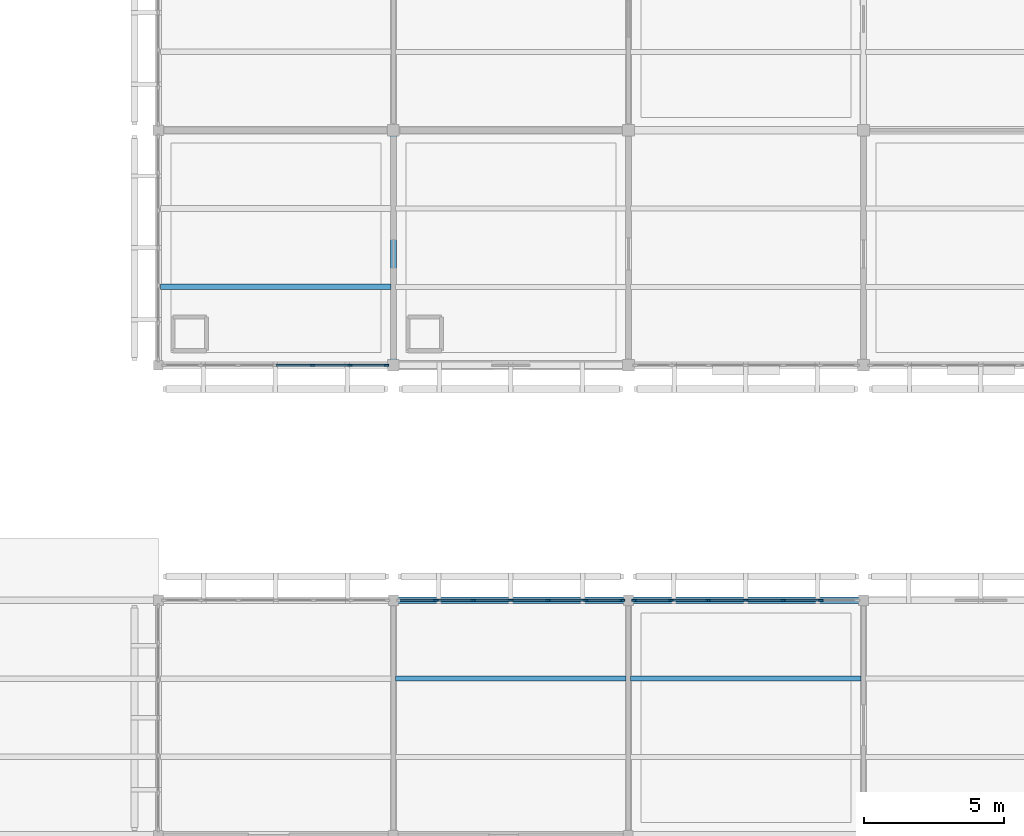
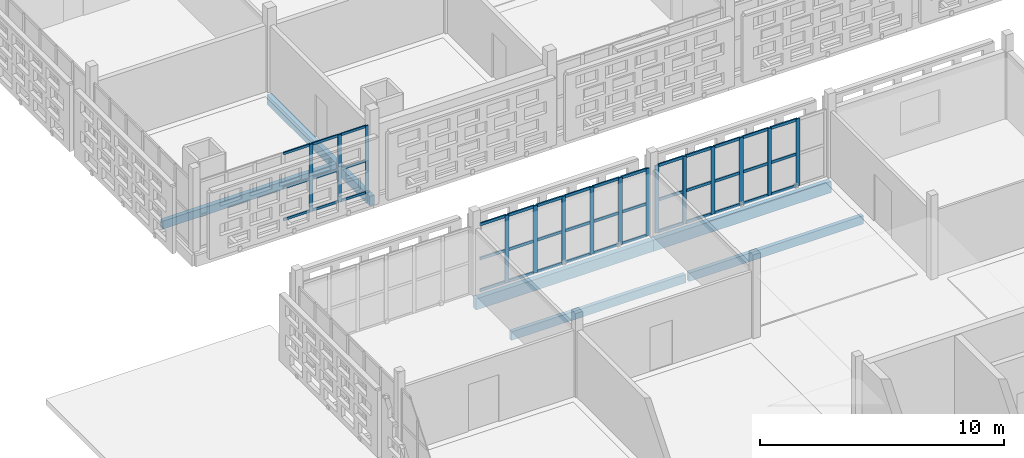
# One storey, part 64 of 166: 57 members, 6 beams, 3 elements without a shape of their own.
"""IFC4 building model written with IfcOpenShell, lengths in metres."""

from ifc_helpers import new_model, si_unit, direction, frame, origin, origin_2d, place, context, subcontext, project, spatial, rectangle, extrude, material, layer, layer_set, material_profile, profile_set, type_object, element, aggregate, save


model = new_model("IFC4")

# Units and contexts
model_context = context("Model", 3, precision=1e-05, world=origin(), true_north=direction((0.0, 1.0)))
body_context = subcontext(model_context, "Body", "Model", "MODEL_VIEW")
ifc_project = project(units=[si_unit("LENGTHUNIT", "METRE"), si_unit("AREAUNIT", "SQUARE_METRE"), si_unit("VOLUMEUNIT", "CUBIC_METRE"), si_unit("PLANEANGLEUNIT", "RADIAN"), si_unit("MASSUNIT", "GRAM", prefix="KILO")], contexts=[model_context])

# Site, building, storey
site_placement = place(None, origin())
site = spatial("IfcSite", under=ifc_project, at=site_placement, CompositionType="ELEMENT")
building_placement = place(site_placement, origin())
building = spatial("IfcBuilding", under=site, at=building_placement, Name="Varnapada Polytechnic", CompositionType="ELEMENT")
storey_placement = place(building_placement, frame((0.0, 0.0, 9.60009765625)))
storey = spatial("IfcBuildingStorey", under=building, at=storey_placement, Name="L02", CompositionType="ELEMENT", Elevation=9.60009765625)

# Beam
ifc_material_1 = material(Name="Glulam GL32h", Category="wood")
ifc_material_profile_1 = material_profile(ifc_material_1, rectangle(XDim=0.199951171875, YDim=0.39990234375, at=origin_2d()), Name="GL 200x400")
ifc_profile_set_1 = profile_set([ifc_material_profile_1], Name="Glulam GL32h")
beam_type_1 = type_object("IfcBeamType", Name="Library/laboratory glulam floor joist GJ-01 (GL 200x400)", PredefinedType="JOIST", material=ifc_profile_set_1)
beam_1_placement = place(storey_placement, frame((134.47998046875, 61.60009765625, -0.4501953125), z_axis=(1.0, 0.0, 0.0), x_axis=(0.0, 1.0, 0.0)))
element("IfcBeam", 1, at=beam_1_placement, inside=storey, type_object=beam_type_1, Name="L02 floor joist 17/8.1", PredefinedType="JOIST", context=body_context, shape_type="SweptSolid", body=[
    extrude(rectangle(XDim=0.199951171875, YDim=0.39990234375, at=origin_2d()), origin(), (0.0, 0.0, 1.0), 8.239990234375),
])

# Curtain wall, members
ifc_material_2 = material(Name="Double low-E laminated glass", Category="glass")
ifc_layer_1 = layer(ifc_material_2, 0.159912109375)
ifc_layer_set_1 = layer_set([ifc_layer_1], Name="Double low-E laminated glass")
curtain_wall_type_1 = type_object("IfcCurtainWallType", Name="Curtain Wall CW-01", PredefinedType="NOTDEFINED", material=ifc_layer_set_1)
curtain_wall_1_placement = place(storey_placement, origin())
curtain_wall_1 = element("IfcCurtainWall", 2, at=curtain_wall_1_placement, inside=storey, type_object=curtain_wall_type_1, Name="L02 unitised curtain wall CW-01 (188)", PredefinedType="NOTDEFINED")
ifc_material_3 = material(Name="Anodised aluminium", Category="aluminium")
ifc_material_profile_2 = material_profile(ifc_material_3, rectangle(XDim=0.06005859375, YDim=0.159912109375, at=origin_2d()), Name="ALU M60x160")
ifc_profile_set_2 = profile_set([ifc_material_profile_2], Name="Anodised aluminium")
member_type_1 = type_object("IfcMemberType", Name="Mullion M-01", PredefinedType="MULLION", material=ifc_profile_set_2)
member_1_placement = place(storey_placement, frame((142.56005859375, 58.800048828125, 0.0), z_axis=(0.0, 0.0, 1.0), x_axis=(0.0, -1.0, 0.0)))
member_1 = element("IfcMember", 3, at=member_1_placement, type_object=member_type_1, Name="CW-01 mullion 1", PredefinedType="MULLION", context=body_context, shape_type="SweptSolid", body=[
    extrude(rectangle(XDim=0.06005859375, YDim=0.159912109375, at=origin_2d()), origin(), (0.0, 0.0, 1.0), 3.35986328125),
])
member_2_placement = place(storey_placement, frame((141.25341796875, 58.800048828125, 0.0), z_axis=(0.0, 0.0, 1.0), x_axis=(0.0, -1.0, 0.0)))
member_2 = element("IfcMember", 4, at=member_2_placement, type_object=member_type_1, Name="CW-01 mullion 2", PredefinedType="MULLION", context=body_context, shape_type="SweptSolid", body=[
    extrude(rectangle(XDim=0.06005859375, YDim=0.159912109375, at=origin_2d()), origin(), (0.0, 0.0, 1.0), 3.35986328125),
])
member_3_placement = place(storey_placement, frame((139.916748046875, 58.800048828125, 0.0), z_axis=(0.0, 0.0, 1.0), x_axis=(0.0, -1.0, 0.0)))
member_3 = element("IfcMember", 5, at=member_3_placement, type_object=member_type_1, Name="CW-01 mullion 3", PredefinedType="MULLION", context=body_context, shape_type="SweptSolid", body=[
    extrude(rectangle(XDim=0.06005859375, YDim=0.159912109375, at=origin_2d()), origin(), (0.0, 0.0, 1.0), 3.35986328125),
])

ifc_layer_2 = layer(ifc_material_2, 0.179931640625)
ifc_layer_set_2 = layer_set([ifc_layer_2], Name="Double low-E laminated glass")
curtain_wall_type_2 = type_object("IfcCurtainWallType", Name="Curtain Wall CW-04", PredefinedType="NOTDEFINED", material=ifc_layer_set_2)
curtain_wall_2_placement = place(storey_placement, origin())
curtain_wall_2 = element("IfcCurtainWall", 6, at=curtain_wall_2_placement, inside=storey, type_object=curtain_wall_type_2, Name="L02 unitised curtain wall CW-04 (193)", PredefinedType="NOTDEFINED")
ifc_material_profile_3 = material_profile(ifc_material_3, rectangle(XDim=0.06494140625, YDim=0.179931640625, at=origin_2d()), Name="ALU M65x180")
ifc_profile_set_3 = profile_set([ifc_material_profile_3], Name="Anodised aluminium")
member_type_2 = type_object("IfcMemberType", Name="Mullion M-02", PredefinedType="MULLION", material=ifc_profile_set_3)
member_4_placement = place(storey_placement, frame((144.320068359375, 50.39990234375, 0.0), z_axis=(0.0, 0.0, 1.0), x_axis=(0.0, 1.0, 0.0)))
member_4 = element("IfcMember", 7, at=member_4_placement, type_object=member_type_2, Name="CW-04 mullion 2", PredefinedType="MULLION", context=body_context, shape_type="SweptSolid", body=[
    extrude(rectangle(XDim=0.06494140625, YDim=0.179931640625, at=origin_2d()), origin(), (0.0, 0.0, 1.0), 3.35986328125),
])
member_5_placement = place(storey_placement, frame((145.659912109375, 50.39990234375, 0.0), z_axis=(0.0, 0.0, 1.0), x_axis=(0.0, 1.0, 0.0)))
member_5 = element("IfcMember", 8, at=member_5_placement, type_object=member_type_2, Name="CW-04 mullion 3", PredefinedType="MULLION", context=body_context, shape_type="SweptSolid", body=[
    extrude(rectangle(XDim=0.06494140625, YDim=0.179931640625, at=origin_2d()), origin(), (0.0, 0.0, 1.0), 3.35986328125),
])
member_6_placement = place(storey_placement, frame((147.0, 50.39990234375, 0.0), z_axis=(0.0, 0.0, 1.0), x_axis=(0.0, 1.0, 0.0)))
member_6 = element("IfcMember", 9, at=member_6_placement, type_object=member_type_2, Name="CW-04 mullion 4", PredefinedType="MULLION", context=body_context, shape_type="SweptSolid", body=[
    extrude(rectangle(XDim=0.06494140625, YDim=0.179931640625, at=origin_2d()), origin(), (0.0, 0.0, 1.0), 3.35986328125),
])
member_7_placement = place(storey_placement, frame((148.340087890625, 50.39990234375, 0.0), z_axis=(0.0, 0.0, 1.0), x_axis=(0.0, 1.0, 0.0)))
member_7 = element("IfcMember", 10, at=member_7_placement, type_object=member_type_2, Name="CW-04 mullion 5", PredefinedType="MULLION", context=body_context, shape_type="SweptSolid", body=[
    extrude(rectangle(XDim=0.06494140625, YDim=0.179931640625, at=origin_2d()), origin(), (0.0, 0.0, 1.0), 3.35986328125),
])
member_8_placement = place(storey_placement, frame((149.679931640625, 50.39990234375, 0.0), z_axis=(0.0, 0.0, 1.0), x_axis=(0.0, 1.0, 0.0)))
member_8 = element("IfcMember", 11, at=member_8_placement, type_object=member_type_2, Name="CW-04 mullion 6", PredefinedType="MULLION", context=body_context, shape_type="SweptSolid", body=[
    extrude(rectangle(XDim=0.06494140625, YDim=0.179931640625, at=origin_2d()), origin(), (0.0, 0.0, 1.0), 3.35986328125),
])
member_9_placement = place(storey_placement, frame((150.987548828125, 50.39990234375, 0.0), z_axis=(0.0, 0.0, 1.0), x_axis=(0.0, 1.0, 0.0)))
member_9 = element("IfcMember", 12, at=member_9_placement, type_object=member_type_2, Name="CW-04 mullion 7", PredefinedType="MULLION", context=body_context, shape_type="SweptSolid", body=[
    extrude(rectangle(XDim=0.06494140625, YDim=0.179931640625, at=origin_2d()), origin(), (0.0, 0.0, 1.0), 3.35986328125),
])

curtain_wall_3_placement = place(storey_placement, origin())
curtain_wall_3 = element("IfcCurtainWall", 13, at=curtain_wall_3_placement, inside=storey, type_object=curtain_wall_type_2, Name="L02 unitised curtain wall CW-04 (195)", PredefinedType="NOTDEFINED")
member_10_placement = place(storey_placement, frame((151.41259765625, 50.39990234375, 0.0), z_axis=(0.0, 0.0, 1.0), x_axis=(0.0, 1.0, 0.0)))
member_10 = element("IfcMember", 14, at=member_10_placement, type_object=member_type_2, Name="CW-04 mullion 1", PredefinedType="MULLION", context=body_context, shape_type="SweptSolid", body=[
    extrude(rectangle(XDim=0.06494140625, YDim=0.179931640625, at=origin_2d()), origin(), (0.0, 0.0, 1.0), 3.35986328125),
])
member_11_placement = place(storey_placement, frame((152.719970703125, 50.39990234375, 0.0), z_axis=(0.0, 0.0, 1.0), x_axis=(0.0, 1.0, 0.0)))
member_11 = element("IfcMember", 15, at=member_11_placement, type_object=member_type_2, Name="CW-04 mullion 2", PredefinedType="MULLION", context=body_context, shape_type="SweptSolid", body=[
    extrude(rectangle(XDim=0.06494140625, YDim=0.179931640625, at=origin_2d()), origin(), (0.0, 0.0, 1.0), 3.35986328125),
])
member_12_placement = place(storey_placement, frame((154.06005859375, 50.39990234375, 0.0), z_axis=(0.0, 0.0, 1.0), x_axis=(0.0, 1.0, 0.0)))
member_12 = element("IfcMember", 16, at=member_12_placement, type_object=member_type_2, Name="CW-04 mullion 3", PredefinedType="MULLION", context=body_context, shape_type="SweptSolid", body=[
    extrude(rectangle(XDim=0.06494140625, YDim=0.179931640625, at=origin_2d()), origin(), (0.0, 0.0, 1.0), 3.35986328125),
])
member_13_placement = place(storey_placement, frame((155.39990234375, 50.39990234375, 0.0), z_axis=(0.0, 0.0, 1.0), x_axis=(0.0, 1.0, 0.0)))
member_13 = element("IfcMember", 17, at=member_13_placement, type_object=member_type_2, Name="CW-04 mullion 4", PredefinedType="MULLION", context=body_context, shape_type="SweptSolid", body=[
    extrude(rectangle(XDim=0.06494140625, YDim=0.179931640625, at=origin_2d()), origin(), (0.0, 0.0, 1.0), 3.35986328125),
])
member_14_placement = place(storey_placement, frame((156.739990234375, 50.39990234375, 0.0), z_axis=(0.0, 0.0, 1.0), x_axis=(0.0, 1.0, 0.0)))
member_14 = element("IfcMember", 18, at=member_14_placement, type_object=member_type_2, Name="CW-04 mullion 5", PredefinedType="MULLION", context=body_context, shape_type="SweptSolid", body=[
    extrude(rectangle(XDim=0.06494140625, YDim=0.179931640625, at=origin_2d()), origin(), (0.0, 0.0, 1.0), 3.35986328125),
])
member_15_placement = place(storey_placement, frame((158.080078125, 50.39990234375, 0.0), z_axis=(0.0, 0.0, 1.0), x_axis=(0.0, 1.0, 0.0)))
member_15 = element("IfcMember", 19, at=member_15_placement, type_object=member_type_2, Name="CW-04 mullion 6", PredefinedType="MULLION", context=body_context, shape_type="SweptSolid", body=[
    extrude(rectangle(XDim=0.06494140625, YDim=0.179931640625, at=origin_2d()), origin(), (0.0, 0.0, 1.0), 3.35986328125),
])

# Beams
ifc_material_profile_4 = material_profile(ifc_material_1, rectangle(XDim=0.239990234375, YDim=0.56005859375, at=origin_2d()), Name="GL 240x560")
ifc_profile_set_4 = profile_set([ifc_material_profile_4], Name="Glulam GL32h")
beam_type_2 = type_object("IfcBeamType", Name="Perimeter glulam spandrel beam SP-02 (GL 240x560)", PredefinedType="SPANDREL", material=ifc_profile_set_4)
beam_2_placement = place(storey_placement, frame((142.800048828125, 50.39990234375, -0.530029296875), z_axis=(1.0, 0.0, 0.0), x_axis=(0.0, 1.0, 0.0)))
element("IfcBeam", 20, at=beam_2_placement, inside=storey, type_object=beam_type_2, Name="L02 beam X 18-19 at Y7", PredefinedType="SPANDREL", context=body_context, shape_type="SweptSolid", body=[
    extrude(rectangle(XDim=0.239990234375, YDim=0.56005859375, at=origin_2d()), origin(), (0.0, 0.0, 1.0), 8.39990234375),
])
beam_3_placement = place(storey_placement, frame((151.199951171875, 50.39990234375, -0.530029296875), z_axis=(1.0, 0.0, 0.0), x_axis=(0.0, 1.0, 0.0)))
element("IfcBeam", 21, at=beam_3_placement, inside=storey, type_object=beam_type_2, Name="L02 beam X 19-20 at Y7", PredefinedType="SPANDREL", context=body_context, shape_type="SweptSolid", body=[
    extrude(rectangle(XDim=0.239990234375, YDim=0.56005859375, at=origin_2d()), origin(), (0.0, 0.0, 1.0), 8.400146484375),
])
ifc_material_profile_5 = material_profile(ifc_material_1, rectangle(XDim=0.179931640625, YDim=0.419921875, at=origin_2d()), Name="GL 180x420")
ifc_profile_set_5 = profile_set([ifc_material_profile_5], Name="Glulam GL32h")
beam_type_3 = type_object("IfcBeamType", Name="Reading hall glulam joist GJ-04 (GL 180x420)", PredefinedType="JOIST", material=ifc_profile_set_5)
beam_4_placement = place(storey_placement, frame((142.8798828125, 47.60009765625, -0.460205078125), z_axis=(1.0, 0.0, 0.0), x_axis=(0.0, 1.0, 0.0)))
element("IfcBeam", 22, at=beam_4_placement, inside=storey, type_object=beam_type_3, Name="L02 floor joist 18/6.2", PredefinedType="JOIST", context=body_context, shape_type="SweptSolid", body=[
    extrude(rectangle(XDim=0.179931640625, YDim=0.419921875, at=origin_2d()), origin(), (0.0, 0.0, 1.0), 8.240234375),
])
beam_5_placement = place(storey_placement, frame((151.280029296875, 47.60009765625, -0.460205078125), z_axis=(1.0, 0.0, 0.0), x_axis=(0.0, 1.0, 0.0)))
element("IfcBeam", 23, at=beam_5_placement, inside=storey, type_object=beam_type_3, Name="L02 floor joist 19/6.2", PredefinedType="JOIST", context=body_context, shape_type="SweptSolid", body=[
    extrude(rectangle(XDim=0.179931640625, YDim=0.419921875, at=origin_2d()), origin(), (0.0, 0.0, 1.0), 8.239990234375),
])

# Member
ifc_material_profile_6 = material_profile(ifc_material_3, rectangle(XDim=0.06005859375, YDim=0.1201171875, at=origin_2d()), Name="ALU T60x120")
ifc_profile_set_6 = profile_set([ifc_material_profile_6], Name="Anodised aluminium")
member_type_3 = type_object("IfcMemberType", Name="Transom T-01", PredefinedType="USERDEFINED", material=ifc_profile_set_6)
member_16_placement = place(storey_placement, frame((142.530029296875, 58.800048828125, 0.02978515625), z_axis=(-1.0, 0.0, 0.0), x_axis=(0.0, -1.0, 0.0)))
member_16 = element("IfcMember", 24, at=member_16_placement, type_object=member_type_3, Name="CW-01 transom 1.1", ObjectType="TRANSOM", PredefinedType="USERDEFINED", context=body_context, shape_type="SweptSolid", body=[
    extrude(rectangle(XDim=0.06005859375, YDim=0.1201171875, at=origin_2d()), origin(), (0.0, 0.0, 1.0), 1.24658203125),
])

member_17_placement = place(storey_placement, frame((142.530029296875, 58.800048828125, 1.61279296875), z_axis=(-1.0, 0.0, 0.0), x_axis=(0.0, -1.0, 0.0)))
member_17 = element("IfcMember", 25, at=member_17_placement, type_object=member_type_3, Name="CW-01 transom 1.2", ObjectType="TRANSOM", PredefinedType="USERDEFINED", context=body_context, shape_type="SweptSolid", body=[
    extrude(rectangle(XDim=0.06005859375, YDim=0.1201171875, at=origin_2d()), origin(), (0.0, 0.0, 1.0), 1.24658203125),
])

member_18_placement = place(storey_placement, frame((142.530029296875, 58.800048828125, 3.329833984375), z_axis=(-1.0, 0.0, 0.0), x_axis=(0.0, -1.0, 0.0)))
member_18 = element("IfcMember", 26, at=member_18_placement, type_object=member_type_3, Name="CW-01 transom 1.3", ObjectType="TRANSOM", PredefinedType="USERDEFINED", context=body_context, shape_type="SweptSolid", body=[
    extrude(rectangle(XDim=0.06005859375, YDim=0.1201171875, at=origin_2d()), origin(), (0.0, 0.0, 1.0), 1.24658203125),
])

member_19_placement = place(storey_placement, frame((141.223388671875, 58.800048828125, 0.02978515625), z_axis=(-1.0, 0.0, 0.0), x_axis=(0.0, -1.0, 0.0)))
member_19 = element("IfcMember", 27, at=member_19_placement, type_object=member_type_3, Name="CW-01 transom 2.1", ObjectType="TRANSOM", PredefinedType="USERDEFINED", context=body_context, shape_type="SweptSolid", body=[
    extrude(rectangle(XDim=0.06005859375, YDim=0.1201171875, at=origin_2d()), origin(), (0.0, 0.0, 1.0), 1.276611328125),
])

member_20_placement = place(storey_placement, frame((141.223388671875, 58.800048828125, 1.61279296875), z_axis=(-1.0, 0.0, 0.0), x_axis=(0.0, -1.0, 0.0)))
member_20 = element("IfcMember", 28, at=member_20_placement, type_object=member_type_3, Name="CW-01 transom 2.2", ObjectType="TRANSOM", PredefinedType="USERDEFINED", context=body_context, shape_type="SweptSolid", body=[
    extrude(rectangle(XDim=0.06005859375, YDim=0.1201171875, at=origin_2d()), origin(), (0.0, 0.0, 1.0), 1.276611328125),
])

member_21_placement = place(storey_placement, frame((141.223388671875, 58.800048828125, 3.329833984375), z_axis=(-1.0, 0.0, 0.0), x_axis=(0.0, -1.0, 0.0)))
member_21 = element("IfcMember", 29, at=member_21_placement, type_object=member_type_3, Name="CW-01 transom 2.3", ObjectType="TRANSOM", PredefinedType="USERDEFINED", context=body_context, shape_type="SweptSolid", body=[
    extrude(rectangle(XDim=0.06005859375, YDim=0.1201171875, at=origin_2d()), origin(), (0.0, 0.0, 1.0), 1.276611328125),
])

member_22_placement = place(storey_placement, frame((139.88671875, 58.800048828125, 0.02978515625), z_axis=(-1.0, 0.0, 0.0), x_axis=(0.0, -1.0, 0.0)))
member_22 = element("IfcMember", 30, at=member_22_placement, type_object=member_type_3, Name="CW-01 transom 3.1", ObjectType="TRANSOM", PredefinedType="USERDEFINED", context=body_context, shape_type="SweptSolid", body=[
    extrude(rectangle(XDim=0.06005859375, YDim=0.1201171875, at=origin_2d()), origin(), (0.0, 0.0, 1.0), 1.276611328125),
])

member_23_placement = place(storey_placement, frame((139.88671875, 58.800048828125, 1.61279296875), z_axis=(-1.0, 0.0, 0.0), x_axis=(0.0, -1.0, 0.0)))
member_23 = element("IfcMember", 31, at=member_23_placement, type_object=member_type_3, Name="CW-01 transom 3.2", ObjectType="TRANSOM", PredefinedType="USERDEFINED", context=body_context, shape_type="SweptSolid", body=[
    extrude(rectangle(XDim=0.06005859375, YDim=0.1201171875, at=origin_2d()), origin(), (0.0, 0.0, 1.0), 1.276611328125),
])

member_24_placement = place(storey_placement, frame((139.88671875, 58.800048828125, 3.329833984375), z_axis=(-1.0, 0.0, 0.0), x_axis=(0.0, -1.0, 0.0)))
member_24 = element("IfcMember", 32, at=member_24_placement, type_object=member_type_3, Name="CW-01 transom 3.3", ObjectType="TRANSOM", PredefinedType="USERDEFINED", context=body_context, shape_type="SweptSolid", body=[
    extrude(rectangle(XDim=0.06005859375, YDim=0.1201171875, at=origin_2d()), origin(), (0.0, 0.0, 1.0), 1.276611328125),
])

aggregate(curtain_wall_1, [member_1, member_2, member_3, member_16, member_17, member_18, member_19, member_20, member_21, member_22, member_23, member_24])

ifc_material_profile_7 = material_profile(ifc_material_3, rectangle(XDim=0.06494140625, YDim=0.139892578125, at=origin_2d()), Name="ALU T65x140")
ifc_profile_set_7 = profile_set([ifc_material_profile_7], Name="Anodised aluminium")
member_type_4 = type_object("IfcMemberType", Name="Transom T-02", PredefinedType="USERDEFINED", material=ifc_profile_set_7)
member_25_placement = place(storey_placement, frame((143.044921875, 50.39990234375, 0.032470703125), z_axis=(1.0, 0.0, 0.0), x_axis=(0.0, 1.0, 0.0)))
member_25 = element("IfcMember", 33, at=member_25_placement, type_object=member_type_4, Name="CW-04 transom 1.1", ObjectType="TRANSOM", PredefinedType="USERDEFINED", context=body_context, shape_type="SweptSolid", body=[
    extrude(rectangle(XDim=0.06494140625, YDim=0.139892578125, at=origin_2d()), origin(), (0.0, 0.0, 1.0), 1.24267578125),
])

member_26_placement = place(storey_placement, frame((143.044921875, 50.39990234375, 1.61279296875), z_axis=(1.0, 0.0, 0.0), x_axis=(0.0, 1.0, 0.0)))
member_26 = element("IfcMember", 34, at=member_26_placement, type_object=member_type_4, Name="CW-04 transom 1.2", ObjectType="TRANSOM", PredefinedType="USERDEFINED", context=body_context, shape_type="SweptSolid", body=[
    extrude(rectangle(XDim=0.06494140625, YDim=0.139892578125, at=origin_2d()), origin(), (0.0, 0.0, 1.0), 1.24267578125),
])

member_27_placement = place(storey_placement, frame((143.044921875, 50.39990234375, 3.327392578125), z_axis=(1.0, 0.0, 0.0), x_axis=(0.0, 1.0, 0.0)))
member_27 = element("IfcMember", 35, at=member_27_placement, type_object=member_type_4, Name="CW-04 transom 1.3", ObjectType="TRANSOM", PredefinedType="USERDEFINED", context=body_context, shape_type="SweptSolid", body=[
    extrude(rectangle(XDim=0.06494140625, YDim=0.139892578125, at=origin_2d()), origin(), (0.0, 0.0, 1.0), 1.24267578125),
])

member_28_placement = place(storey_placement, frame((144.3525390625, 50.39990234375, 0.032470703125), z_axis=(1.0, 0.0, 0.0), x_axis=(0.0, 1.0, 0.0)))
member_28 = element("IfcMember", 36, at=member_28_placement, type_object=member_type_4, Name="CW-04 transom 2.1", ObjectType="TRANSOM", PredefinedType="USERDEFINED", context=body_context, shape_type="SweptSolid", body=[
    extrude(rectangle(XDim=0.06494140625, YDim=0.139892578125, at=origin_2d()), origin(), (0.0, 0.0, 1.0), 1.27490234375),
])

member_29_placement = place(storey_placement, frame((144.3525390625, 50.39990234375, 1.61279296875), z_axis=(1.0, 0.0, 0.0), x_axis=(0.0, 1.0, 0.0)))
member_29 = element("IfcMember", 37, at=member_29_placement, type_object=member_type_4, Name="CW-04 transom 2.2", ObjectType="TRANSOM", PredefinedType="USERDEFINED", context=body_context, shape_type="SweptSolid", body=[
    extrude(rectangle(XDim=0.06494140625, YDim=0.139892578125, at=origin_2d()), origin(), (0.0, 0.0, 1.0), 1.27490234375),
])

member_30_placement = place(storey_placement, frame((144.3525390625, 50.39990234375, 3.327392578125), z_axis=(1.0, 0.0, 0.0), x_axis=(0.0, 1.0, 0.0)))
member_30 = element("IfcMember", 38, at=member_30_placement, type_object=member_type_4, Name="CW-04 transom 2.3", ObjectType="TRANSOM", PredefinedType="USERDEFINED", context=body_context, shape_type="SweptSolid", body=[
    extrude(rectangle(XDim=0.06494140625, YDim=0.139892578125, at=origin_2d()), origin(), (0.0, 0.0, 1.0), 1.27490234375),
])

member_31_placement = place(storey_placement, frame((145.6923828125, 50.39990234375, 0.032470703125), z_axis=(1.0, 0.0, 0.0), x_axis=(0.0, 1.0, 0.0)))
member_31 = element("IfcMember", 39, at=member_31_placement, type_object=member_type_4, Name="CW-04 transom 3.1", ObjectType="TRANSOM", PredefinedType="USERDEFINED", context=body_context, shape_type="SweptSolid", body=[
    extrude(rectangle(XDim=0.06494140625, YDim=0.139892578125, at=origin_2d()), origin(), (0.0, 0.0, 1.0), 1.275146484375),
])

member_32_placement = place(storey_placement, frame((145.6923828125, 50.39990234375, 1.61279296875), z_axis=(1.0, 0.0, 0.0), x_axis=(0.0, 1.0, 0.0)))
member_32 = element("IfcMember", 40, at=member_32_placement, type_object=member_type_4, Name="CW-04 transom 3.2", ObjectType="TRANSOM", PredefinedType="USERDEFINED", context=body_context, shape_type="SweptSolid", body=[
    extrude(rectangle(XDim=0.06494140625, YDim=0.139892578125, at=origin_2d()), origin(), (0.0, 0.0, 1.0), 1.275146484375),
])

member_33_placement = place(storey_placement, frame((145.6923828125, 50.39990234375, 3.327392578125), z_axis=(1.0, 0.0, 0.0), x_axis=(0.0, 1.0, 0.0)))
member_33 = element("IfcMember", 41, at=member_33_placement, type_object=member_type_4, Name="CW-04 transom 3.3", ObjectType="TRANSOM", PredefinedType="USERDEFINED", context=body_context, shape_type="SweptSolid", body=[
    extrude(rectangle(XDim=0.06494140625, YDim=0.139892578125, at=origin_2d()), origin(), (0.0, 0.0, 1.0), 1.275146484375),
])

member_34_placement = place(storey_placement, frame((147.032470703125, 50.39990234375, 0.032470703125), z_axis=(1.0, 0.0, 0.0), x_axis=(0.0, 1.0, 0.0)))
member_34 = element("IfcMember", 42, at=member_34_placement, type_object=member_type_4, Name="CW-04 transom 4.1", ObjectType="TRANSOM", PredefinedType="USERDEFINED", context=body_context, shape_type="SweptSolid", body=[
    extrude(rectangle(XDim=0.06494140625, YDim=0.139892578125, at=origin_2d()), origin(), (0.0, 0.0, 1.0), 1.275146484375),
])

member_35_placement = place(storey_placement, frame((147.032470703125, 50.39990234375, 1.61279296875), z_axis=(1.0, 0.0, 0.0), x_axis=(0.0, 1.0, 0.0)))
member_35 = element("IfcMember", 43, at=member_35_placement, type_object=member_type_4, Name="CW-04 transom 4.2", ObjectType="TRANSOM", PredefinedType="USERDEFINED", context=body_context, shape_type="SweptSolid", body=[
    extrude(rectangle(XDim=0.06494140625, YDim=0.139892578125, at=origin_2d()), origin(), (0.0, 0.0, 1.0), 1.275146484375),
])

member_36_placement = place(storey_placement, frame((147.032470703125, 50.39990234375, 3.327392578125), z_axis=(1.0, 0.0, 0.0), x_axis=(0.0, 1.0, 0.0)))
member_36 = element("IfcMember", 44, at=member_36_placement, type_object=member_type_4, Name="CW-04 transom 4.3", ObjectType="TRANSOM", PredefinedType="USERDEFINED", context=body_context, shape_type="SweptSolid", body=[
    extrude(rectangle(XDim=0.06494140625, YDim=0.139892578125, at=origin_2d()), origin(), (0.0, 0.0, 1.0), 1.275146484375),
])

member_37_placement = place(storey_placement, frame((148.37255859375, 50.39990234375, 0.032470703125), z_axis=(1.0, 0.0, 0.0), x_axis=(0.0, 1.0, 0.0)))
member_37 = element("IfcMember", 45, at=member_37_placement, type_object=member_type_4, Name="CW-04 transom 5.1", ObjectType="TRANSOM", PredefinedType="USERDEFINED", context=body_context, shape_type="SweptSolid", body=[
    extrude(rectangle(XDim=0.06494140625, YDim=0.139892578125, at=origin_2d()), origin(), (0.0, 0.0, 1.0), 1.27490234375),
])

member_38_placement = place(storey_placement, frame((148.37255859375, 50.39990234375, 1.61279296875), z_axis=(1.0, 0.0, 0.0), x_axis=(0.0, 1.0, 0.0)))
member_38 = element("IfcMember", 46, at=member_38_placement, type_object=member_type_4, Name="CW-04 transom 5.2", ObjectType="TRANSOM", PredefinedType="USERDEFINED", context=body_context, shape_type="SweptSolid", body=[
    extrude(rectangle(XDim=0.06494140625, YDim=0.139892578125, at=origin_2d()), origin(), (0.0, 0.0, 1.0), 1.27490234375),
])

member_39_placement = place(storey_placement, frame((148.37255859375, 50.39990234375, 3.327392578125), z_axis=(1.0, 0.0, 0.0), x_axis=(0.0, 1.0, 0.0)))
member_39 = element("IfcMember", 47, at=member_39_placement, type_object=member_type_4, Name="CW-04 transom 5.3", ObjectType="TRANSOM", PredefinedType="USERDEFINED", context=body_context, shape_type="SweptSolid", body=[
    extrude(rectangle(XDim=0.06494140625, YDim=0.139892578125, at=origin_2d()), origin(), (0.0, 0.0, 1.0), 1.27490234375),
])

member_40_placement = place(storey_placement, frame((149.71240234375, 50.39990234375, 0.032470703125), z_axis=(1.0, 0.0, 0.0), x_axis=(0.0, 1.0, 0.0)))
member_40 = element("IfcMember", 48, at=member_40_placement, type_object=member_type_4, Name="CW-04 transom 6.1", ObjectType="TRANSOM", PredefinedType="USERDEFINED", context=body_context, shape_type="SweptSolid", body=[
    extrude(rectangle(XDim=0.06494140625, YDim=0.139892578125, at=origin_2d()), origin(), (0.0, 0.0, 1.0), 1.24267578125),
])

member_41_placement = place(storey_placement, frame((149.71240234375, 50.39990234375, 1.61279296875), z_axis=(1.0, 0.0, 0.0), x_axis=(0.0, 1.0, 0.0)))
member_41 = element("IfcMember", 49, at=member_41_placement, type_object=member_type_4, Name="CW-04 transom 6.2", ObjectType="TRANSOM", PredefinedType="USERDEFINED", context=body_context, shape_type="SweptSolid", body=[
    extrude(rectangle(XDim=0.06494140625, YDim=0.139892578125, at=origin_2d()), origin(), (0.0, 0.0, 1.0), 1.24267578125),
])

member_42_placement = place(storey_placement, frame((149.71240234375, 50.39990234375, 3.327392578125), z_axis=(1.0, 0.0, 0.0), x_axis=(0.0, 1.0, 0.0)))
member_42 = element("IfcMember", 50, at=member_42_placement, type_object=member_type_4, Name="CW-04 transom 6.3", ObjectType="TRANSOM", PredefinedType="USERDEFINED", context=body_context, shape_type="SweptSolid", body=[
    extrude(rectangle(XDim=0.06494140625, YDim=0.139892578125, at=origin_2d()), origin(), (0.0, 0.0, 1.0), 1.24267578125),
])

aggregate(curtain_wall_2, [member_4, member_5, member_6, member_7, member_8, member_9, member_25, member_26, member_27, member_28, member_29, member_30, member_31, member_32, member_33, member_34, member_35, member_36, member_37, member_38, member_39, member_40, member_41, member_42])

member_43_placement = place(storey_placement, frame((151.445068359375, 50.39990234375, 0.032470703125), z_axis=(1.0, 0.0, 0.0), x_axis=(0.0, 1.0, 0.0)))
member_43 = element("IfcMember", 51, at=member_43_placement, type_object=member_type_4, Name="CW-04 transom 1.1", ObjectType="TRANSOM", PredefinedType="USERDEFINED", context=body_context, shape_type="SweptSolid", body=[
    extrude(rectangle(XDim=0.06494140625, YDim=0.139892578125, at=origin_2d()), origin(), (0.0, 0.0, 1.0), 1.242431640625),
])

member_44_placement = place(storey_placement, frame((151.445068359375, 50.39990234375, 1.61279296875), z_axis=(1.0, 0.0, 0.0), x_axis=(0.0, 1.0, 0.0)))
member_44 = element("IfcMember", 52, at=member_44_placement, type_object=member_type_4, Name="CW-04 transom 1.2", ObjectType="TRANSOM", PredefinedType="USERDEFINED", context=body_context, shape_type="SweptSolid", body=[
    extrude(rectangle(XDim=0.06494140625, YDim=0.139892578125, at=origin_2d()), origin(), (0.0, 0.0, 1.0), 1.242431640625),
])

member_45_placement = place(storey_placement, frame((151.445068359375, 50.39990234375, 3.327392578125), z_axis=(1.0, 0.0, 0.0), x_axis=(0.0, 1.0, 0.0)))
member_45 = element("IfcMember", 53, at=member_45_placement, type_object=member_type_4, Name="CW-04 transom 1.3", ObjectType="TRANSOM", PredefinedType="USERDEFINED", context=body_context, shape_type="SweptSolid", body=[
    extrude(rectangle(XDim=0.06494140625, YDim=0.139892578125, at=origin_2d()), origin(), (0.0, 0.0, 1.0), 1.242431640625),
])

member_46_placement = place(storey_placement, frame((152.75244140625, 50.39990234375, 0.032470703125), z_axis=(1.0, 0.0, 0.0), x_axis=(0.0, 1.0, 0.0)))
member_46 = element("IfcMember", 54, at=member_46_placement, type_object=member_type_4, Name="CW-04 transom 2.1", ObjectType="TRANSOM", PredefinedType="USERDEFINED", context=body_context, shape_type="SweptSolid", body=[
    extrude(rectangle(XDim=0.06494140625, YDim=0.139892578125, at=origin_2d()), origin(), (0.0, 0.0, 1.0), 1.275146484375),
])

member_47_placement = place(storey_placement, frame((152.75244140625, 50.39990234375, 1.61279296875), z_axis=(1.0, 0.0, 0.0), x_axis=(0.0, 1.0, 0.0)))
member_47 = element("IfcMember", 55, at=member_47_placement, type_object=member_type_4, Name="CW-04 transom 2.2", ObjectType="TRANSOM", PredefinedType="USERDEFINED", context=body_context, shape_type="SweptSolid", body=[
    extrude(rectangle(XDim=0.06494140625, YDim=0.139892578125, at=origin_2d()), origin(), (0.0, 0.0, 1.0), 1.275146484375),
])

member_48_placement = place(storey_placement, frame((152.75244140625, 50.39990234375, 3.327392578125), z_axis=(1.0, 0.0, 0.0), x_axis=(0.0, 1.0, 0.0)))
member_48 = element("IfcMember", 56, at=member_48_placement, type_object=member_type_4, Name="CW-04 transom 2.3", ObjectType="TRANSOM", PredefinedType="USERDEFINED", context=body_context, shape_type="SweptSolid", body=[
    extrude(rectangle(XDim=0.06494140625, YDim=0.139892578125, at=origin_2d()), origin(), (0.0, 0.0, 1.0), 1.275146484375),
])

member_49_placement = place(storey_placement, frame((154.092529296875, 50.39990234375, 0.032470703125), z_axis=(1.0, 0.0, 0.0), x_axis=(0.0, 1.0, 0.0)))
member_49 = element("IfcMember", 57, at=member_49_placement, type_object=member_type_4, Name="CW-04 transom 3.1", ObjectType="TRANSOM", PredefinedType="USERDEFINED", context=body_context, shape_type="SweptSolid", body=[
    extrude(rectangle(XDim=0.06494140625, YDim=0.139892578125, at=origin_2d()), origin(), (0.0, 0.0, 1.0), 1.27490234375),
])

member_50_placement = place(storey_placement, frame((154.092529296875, 50.39990234375, 1.61279296875), z_axis=(1.0, 0.0, 0.0), x_axis=(0.0, 1.0, 0.0)))
member_50 = element("IfcMember", 58, at=member_50_placement, type_object=member_type_4, Name="CW-04 transom 3.2", ObjectType="TRANSOM", PredefinedType="USERDEFINED", context=body_context, shape_type="SweptSolid", body=[
    extrude(rectangle(XDim=0.06494140625, YDim=0.139892578125, at=origin_2d()), origin(), (0.0, 0.0, 1.0), 1.27490234375),
])

member_51_placement = place(storey_placement, frame((154.092529296875, 50.39990234375, 3.327392578125), z_axis=(1.0, 0.0, 0.0), x_axis=(0.0, 1.0, 0.0)))
member_51 = element("IfcMember", 59, at=member_51_placement, type_object=member_type_4, Name="CW-04 transom 3.3", ObjectType="TRANSOM", PredefinedType="USERDEFINED", context=body_context, shape_type="SweptSolid", body=[
    extrude(rectangle(XDim=0.06494140625, YDim=0.139892578125, at=origin_2d()), origin(), (0.0, 0.0, 1.0), 1.27490234375),
])

member_52_placement = place(storey_placement, frame((155.4326171875, 50.39990234375, 0.032470703125), z_axis=(1.0, 0.0, 0.0), x_axis=(0.0, 1.0, 0.0)))
member_52 = element("IfcMember", 60, at=member_52_placement, type_object=member_type_4, Name="CW-04 transom 4.1", ObjectType="TRANSOM", PredefinedType="USERDEFINED", context=body_context, shape_type="SweptSolid", body=[
    extrude(rectangle(XDim=0.06494140625, YDim=0.139892578125, at=origin_2d()), origin(), (0.0, 0.0, 1.0), 1.27490234375),
])

member_53_placement = place(storey_placement, frame((155.4326171875, 50.39990234375, 1.61279296875), z_axis=(1.0, 0.0, 0.0), x_axis=(0.0, 1.0, 0.0)))
member_53 = element("IfcMember", 61, at=member_53_placement, type_object=member_type_4, Name="CW-04 transom 4.2", ObjectType="TRANSOM", PredefinedType="USERDEFINED", context=body_context, shape_type="SweptSolid", body=[
    extrude(rectangle(XDim=0.06494140625, YDim=0.139892578125, at=origin_2d()), origin(), (0.0, 0.0, 1.0), 1.27490234375),
])

member_54_placement = place(storey_placement, frame((155.4326171875, 50.39990234375, 3.327392578125), z_axis=(1.0, 0.0, 0.0), x_axis=(0.0, 1.0, 0.0)))
member_54 = element("IfcMember", 62, at=member_54_placement, type_object=member_type_4, Name="CW-04 transom 4.3", ObjectType="TRANSOM", PredefinedType="USERDEFINED", context=body_context, shape_type="SweptSolid", body=[
    extrude(rectangle(XDim=0.06494140625, YDim=0.139892578125, at=origin_2d()), origin(), (0.0, 0.0, 1.0), 1.27490234375),
])

member_55_placement = place(storey_placement, frame((156.7724609375, 50.39990234375, 0.032470703125), z_axis=(1.0, 0.0, 0.0), x_axis=(0.0, 1.0, 0.0)))
member_55 = element("IfcMember", 63, at=member_55_placement, type_object=member_type_4, Name="CW-04 transom 5.1", ObjectType="TRANSOM", PredefinedType="USERDEFINED", context=body_context, shape_type="SweptSolid", body=[
    extrude(rectangle(XDim=0.06494140625, YDim=0.139892578125, at=origin_2d()), origin(), (0.0, 0.0, 1.0), 1.275146484375),
])

member_56_placement = place(storey_placement, frame((156.7724609375, 50.39990234375, 1.61279296875), z_axis=(1.0, 0.0, 0.0), x_axis=(0.0, 1.0, 0.0)))
member_56 = element("IfcMember", 64, at=member_56_placement, type_object=member_type_4, Name="CW-04 transom 5.2", ObjectType="TRANSOM", PredefinedType="USERDEFINED", context=body_context, shape_type="SweptSolid", body=[
    extrude(rectangle(XDim=0.06494140625, YDim=0.139892578125, at=origin_2d()), origin(), (0.0, 0.0, 1.0), 1.275146484375),
])

member_57_placement = place(storey_placement, frame((156.7724609375, 50.39990234375, 3.327392578125), z_axis=(1.0, 0.0, 0.0), x_axis=(0.0, 1.0, 0.0)))
member_57 = element("IfcMember", 65, at=member_57_placement, type_object=member_type_4, Name="CW-04 transom 5.3", ObjectType="TRANSOM", PredefinedType="USERDEFINED", context=body_context, shape_type="SweptSolid", body=[
    extrude(rectangle(XDim=0.06494140625, YDim=0.139892578125, at=origin_2d()), origin(), (0.0, 0.0, 1.0), 1.275146484375),
])

aggregate(curtain_wall_3, [member_10, member_11, member_12, member_13, member_14, member_15, member_43, member_44, member_45, member_46, member_47, member_48, member_49, member_50, member_51, member_52, member_53, member_54, member_55, member_56, member_57])

# Beam
ifc_material_profile_8 = material_profile(ifc_material_1, rectangle(XDim=0.219970703125, YDim=0.47998046875, at=origin_2d()), Name="GL 220x480")
ifc_profile_set_8 = profile_set([ifc_material_profile_8], Name="Glulam GL32h")
beam_type_4 = type_object("IfcBeamType", Name="Upper floor glulam tie beam GB-11 (GL 220x480)", PredefinedType="BEAM", material=ifc_profile_set_8)
beam_6_placement = place(storey_placement, frame((142.800048828125, 58.800048828125, -0.489990234375), z_axis=(0.0, 1.0, 0.0), x_axis=(-1.0, 0.0, 0.0)))
element("IfcBeam", 66, at=beam_6_placement, inside=storey, type_object=beam_type_4, Name="L02 beam Y 8-9 at X18", PredefinedType="BEAM", context=body_context, shape_type="SweptSolid", body=[
    extrude(rectangle(XDim=0.219970703125, YDim=0.47998046875, at=origin_2d()), origin(), (0.0, 0.0, 1.0), 8.39990234375),
])

save(model, "model.ifc")
